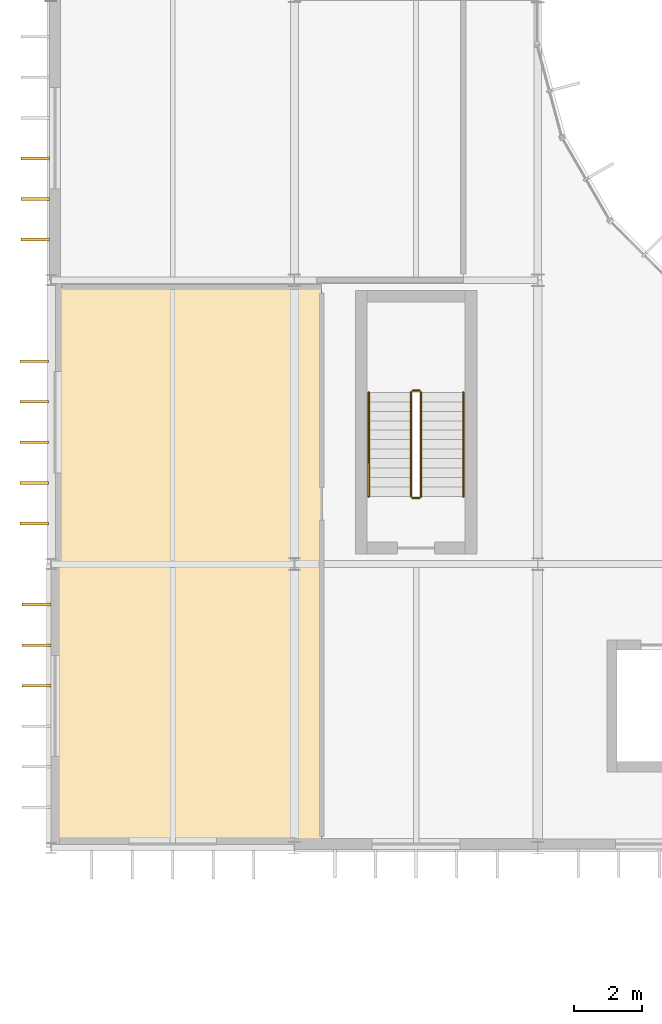
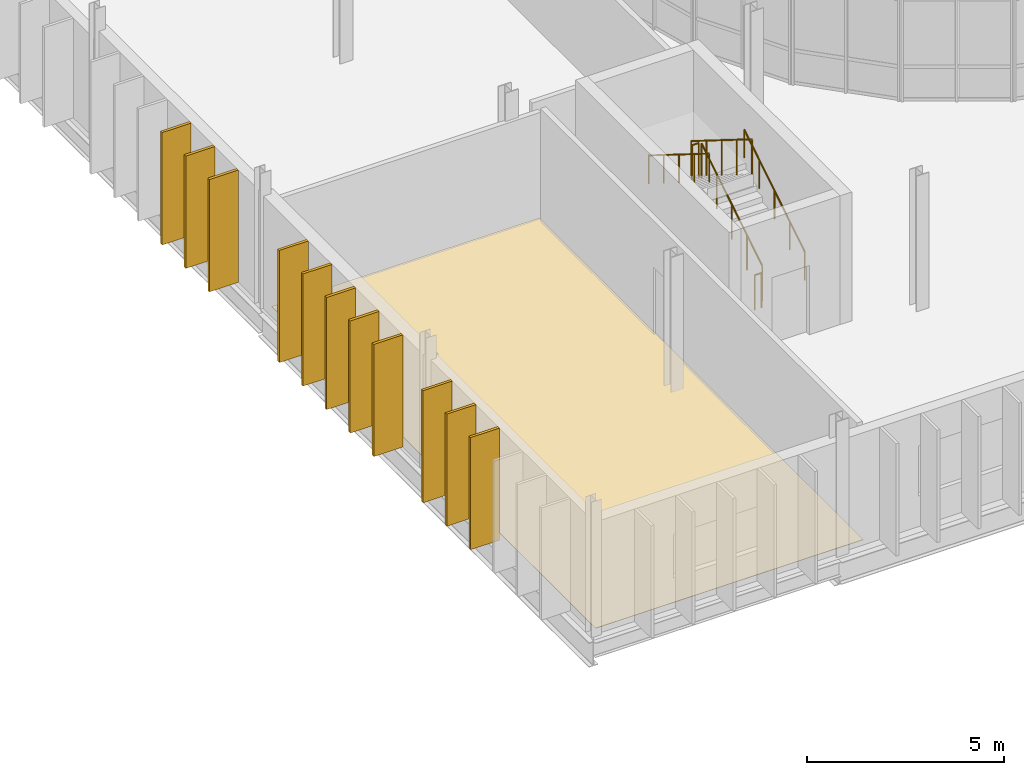
# One storey, part 90 of 99: 11 shading devices, 6 railings, 1 covering.
"""IFC4 building model written with IfcOpenShell, lengths in metres."""

import ifcopenshell
import ifcopenshell.guid

model = None  # the IFC model being written
_history = None  # IfcOwnerHistory: only IFC2X3 demands one
_inside = {}  # id of a spatial element -> (the spatial element, [elements in it])
_under = {}  # id of a project, library or spatial element -> (it, [spatial elements below it])
_declared = {}  # id of a project -> (the project, [libraries it declares])
_typed = {}  # id of a type object -> (the type object, [elements of that type])
_made_of = {}  # id of a material, layer set ... -> (it, [elements and type objects made of it])


def new_model(schema):
    """Start an empty IFC model of exactly this schema.

    Asked for "IFC4X3", IfcOpenShell would pick the latest addendum, in which some entities
    have other attributes; the version numbers below select the first issue.
    IFC2X3 requires an IfcOwnerHistory on every rooted entity: one is made here for all.
    """
    global model, _history
    if schema == "IFC4X3":
        model = ifcopenshell.file(schema_version=(4, 3, 0, 0))
    else:
        model = ifcopenshell.file(schema=schema)
    _inside.clear()
    _under.clear()
    _declared.clear()
    _typed.clear()
    _made_of.clear()
    _history = None
    if model.schema == "IFC2X3":
        org = make("IfcOrganization", Name="unknown")
        user = make(
            "IfcPersonAndOrganization",
            ThePerson=make("IfcPerson", FamilyName="unknown"),
            TheOrganization=org,
        )
        app = make(
            "IfcApplication",
            ApplicationDeveloper=org,
            Version="unknown",
            ApplicationFullName="unknown",
            ApplicationIdentifier="unknown",
        )
        _history = make(
            "IfcOwnerHistory",
            OwningUser=user,
            OwningApplication=app,
            ChangeAction="ADDED",
            CreationDate=0,
        )
    return model


def make(cls, **values):
    """One entity of the class cls with the attributes given. An attribute that is None is left unset."""
    return model.create_entity(
        cls, **{name: value for name, value in values.items() if value is not None}
    )


def rooted(cls, **values):
    """An entity with a GlobalId (a new one), such as an element, a storey or a relation."""
    return make(cls, GlobalId=ifcopenshell.guid.new(), OwnerHistory=_history, **values)


def si_unit(unit_type, name, prefix=None):
    """IfcSIUnit, for example si_unit("LENGTHUNIT", "METRE", prefix="MILLI")."""
    return make("IfcSIUnit", UnitType=unit_type, Prefix=prefix, Name=name)


def assignment(units):
    """IfcUnitAssignment: the units of a project."""
    return None if units is None else make("IfcUnitAssignment", Units=units)


def point(xyz):
    """IfcCartesianPoint."""
    return None if xyz is None else make("IfcCartesianPoint", Coordinates=xyz)


def direction(xyz):
    """IfcDirection."""
    return None if xyz is None else make("IfcDirection", DirectionRatios=xyz)


def frame(location, z_axis=None, x_axis=None):
    """IfcAxis2Placement3D, a coordinate frame: its origin and axes. An axis left out is left unset."""
    return make(
        "IfcAxis2Placement3D",
        Location=point(location),
        Axis=direction(z_axis),
        RefDirection=direction(x_axis),
    )


def frame_2d(location, x_axis=None):
    """IfcAxis2Placement2D, a coordinate frame in the plane: its origin and x axis."""
    return make(
        "IfcAxis2Placement2D", Location=point(location), RefDirection=direction(x_axis)
    )


def origin():
    """The frame at (0, 0, 0) with its axes left unset."""
    return frame((0.0, 0.0, 0.0))


def origin_2d():
    """The frame at (0, 0) in the plane with its x axis left unset."""
    return frame_2d((0.0, 0.0))


def place(relative_to, where):
    """IfcLocalPlacement: puts the frame where relative to a parent placement (None: the world)."""
    return make(
        "IfcLocalPlacement", PlacementRelTo=relative_to, RelativePlacement=where
    )


def context(
    kind, dimensions, precision=None, world=None, true_north=None, identifier=None
):
    """IfcGeometricRepresentationContext, for example the 3D "Model" context."""
    return make(
        "IfcGeometricRepresentationContext",
        ContextIdentifier=identifier,
        ContextType=kind,
        CoordinateSpaceDimension=dimensions,
        Precision=precision,
        WorldCoordinateSystem=world,
        TrueNorth=true_north,
    )


def subcontext(parent, identifier, kind, view, scale=None):
    """IfcGeometricRepresentationSubContext, for example "Body" below "Model"."""
    return make(
        "IfcGeometricRepresentationSubContext",
        ContextIdentifier=identifier,
        ContextType=kind,
        ParentContext=parent,
        TargetScale=scale,
        TargetView=view,
    )


def project(units=None, contexts=None):
    """IfcProject with its units and contexts."""
    return rooted(
        "IfcProject",
        Name="project",
        RepresentationContexts=contexts,
        UnitsInContext=assignment(units),
    )


def spatial(cls, under=None, at=None, **own):
    """A site, building, storey or space (cls), placed at a placement, below another one or the project."""
    s = rooted(cls, ObjectPlacement=at, **own)
    if under is not None:
        _under.setdefault(under.id(), (under, []))[1].append(s)
    return s


def polyline(points):
    """IfcPolyline through the points."""
    return make("IfcPolyline", Points=[point(p) for p in points])


def profile(cls, at=None, kind="AREA", **sizes):
    """A parametric profile (cls). Its sizes go by their IFC names, for example OverallWidth=200.0."""
    return make(cls, ProfileType=kind, Position=at, **sizes)


def rectangle(**sizes):
    """IfcRectangleProfileDef."""
    return profile("IfcRectangleProfileDef", **sizes)


def circle(**sizes):
    """IfcCircleProfileDef."""
    return profile("IfcCircleProfileDef", **sizes)


def outline(outer, holes=None, kind="AREA"):
    """IfcArbitraryClosedProfileDef: a profile drawn as a closed curve; with holes, ...WithVoids."""
    if holes is None:
        return make("IfcArbitraryClosedProfileDef", ProfileType=kind, OuterCurve=outer)
    return make(
        "IfcArbitraryProfileDefWithVoids",
        ProfileType=kind,
        OuterCurve=outer,
        InnerCurves=holes,
    )


def extrude(swept, where, along, depth):
    """IfcExtrudedAreaSolid: the profile swept, set in the frame where, extruded along a direction by depth."""
    return make(
        "IfcExtrudedAreaSolid",
        SweptArea=swept,
        Position=where,
        ExtrudedDirection=direction(along),
        Depth=depth,
    )


def shape(context_of_items, identifier, shape_type, items):
    """IfcShapeRepresentation: the items that make up one representation, for example the "Body"."""
    return make(
        "IfcShapeRepresentation",
        ContextOfItems=context_of_items,
        RepresentationIdentifier=identifier,
        RepresentationType=shape_type,
        Items=items,
    )


def material(Name=None, Category=None):
    """IfcMaterial."""
    return make("IfcMaterial", Name=Name, Category=Category)


def layer(
    of_material, thickness, ventilated=None, Name=None, Category=None, Priority=None
):
    """IfcMaterialLayer: one layer of a wall or slab, of a material (None: an air gap)."""
    return make(
        "IfcMaterialLayer",
        Material=of_material,
        LayerThickness=thickness,
        IsVentilated=ventilated,
        Name=Name,
        Category=Category,
        Priority=Priority,
    )


def layer_set(layers, Name=None):
    """IfcMaterialLayerSet."""
    return make("IfcMaterialLayerSet", MaterialLayers=layers, LayerSetName=Name)


def made_of(thing, what):
    """Note that an element or type object is made of a material, layer set ...; save() writes the relation."""
    if what is not None:
        _made_of.setdefault(what.id(), (what, []))[1].append(thing)
    return thing


def type_object(cls, material=None, **own):
    """A type object (cls), such as IfcWallType, which elements share."""
    return made_of(rooted(cls, **own), material)


def element(
    cls,
    number,
    at=None,
    inside=None,
    cuts=None,
    type_object=None,
    material=None,
    context=None,
    identifier="Body",
    shape_type=None,
    held_by="IfcProductDefinitionShape",
    body=None,
    shapes=None,
    **own,
):
    """One element of the class cls, such as IfcWall. Its Tag is "e" and its number.

    at: its placement. inside: the storey or other place that contains it. cuts: it is an
    opening in that element (IfcRelVoidsElement). A single representation is given by context,
    identifier, shape_type and body (its items); several are given by shapes. held_by: the class
    of the entity that holds the representations. save() writes the other relations.
    """
    e = rooted(cls, Tag="e%d" % number, ObjectPlacement=at, **own)
    if body is not None:
        shapes = [shape(context, identifier, shape_type, body)]
    if shapes is not None:
        e.Representation = make(held_by, Representations=shapes)
    if inside is not None:
        _inside.setdefault(inside.id(), (inside, []))[1].append(e)
    if cuts is not None:
        rooted(
            "IfcRelVoidsElement", RelatingBuildingElement=cuts, RelatedOpeningElement=e
        )
    if type_object is not None:
        _typed.setdefault(type_object.id(), (type_object, []))[1].append(e)
    return made_of(e, material)


def aggregate(whole, parts):
    """IfcRelAggregates: a whole, such as a stair, and the parts it consists of."""
    return rooted("IfcRelAggregates", RelatingObject=whole, RelatedObjects=parts)


def save(model, path):
    """Write the relations noted so far, then the file.

    IfcRelAggregates (storeys below a building ...), IfcRelContainedInSpatialStructure (elements
    in a storey), IfcRelDefinesByType, IfcRelAssociatesMaterial and IfcRelDeclares: one each for
    every whole, place, type object, material and project.
    """
    for whole, parts in _under.values():
        aggregate(whole, parts)
    for where, things in _inside.values():
        rooted(
            "IfcRelContainedInSpatialStructure",
            RelatedElements=things,
            RelatingStructure=where,
        )
    for kind, things in _typed.values():
        rooted("IfcRelDefinesByType", RelatedObjects=things, RelatingType=kind)
    for what, things in _made_of.values():
        rooted("IfcRelAssociatesMaterial", RelatedObjects=things, RelatingMaterial=what)
    for by, libraries in _declared.values():
        rooted("IfcRelDeclares", RelatingContext=by, RelatedDefinitions=libraries)
    model.write(path)


model = new_model("IFC4")

# Units and contexts
model_context = context("Model", 3, precision=1e-05, world=origin(), true_north=direction((0.0, 1.0)))
body_context = subcontext(model_context, "Body", "Model", "MODEL_VIEW")
ifc_project = project(units=[si_unit("LENGTHUNIT", "METRE"), si_unit("AREAUNIT", "SQUARE_METRE"), si_unit("VOLUMEUNIT", "CUBIC_METRE"), si_unit("PLANEANGLEUNIT", "RADIAN"), si_unit("MASSUNIT", "GRAM", prefix="KILO")], contexts=[model_context])

# Site, building, storey
site_placement = place(None, origin())
site = spatial("IfcSite", under=ifc_project, at=site_placement, CompositionType="ELEMENT")
building_placement = place(site_placement, origin())
building = spatial("IfcBuilding", under=site, at=building_placement, Name="Qelthora Terrace Specialist Clinic", CompositionType="ELEMENT")
storey_placement = place(building_placement, frame((0.0, 0.0, 9.0)))
storey = spatial("IfcBuildingStorey", under=building, at=storey_placement, Name="L02", CompositionType="ELEMENT", Elevation=9.0)

# Covering
ifc_material_1 = material(Name="Antimicrobial clinical linoleum flooring", Category="other")
ifc_layer = layer(ifc_material_1, 0.011962890625)
ifc_layer_set = layer_set([ifc_layer], Name="Antimicrobial clinical linoleum flooring")
covering_type = type_object("IfcCoveringType", Name="COV-FLR-LINO-12", PredefinedType="FLOORING", material=ifc_layer_set)
covering_placement = place(storey_placement, origin())
element("IfcCovering", 1, at=covering_placement, inside=storey, type_object=covering_type, Name="Oncology Infusion South Bays L02-50 resilient linoleum flooring", PredefinedType="FLOORING", context=body_context, shape_type="SweptSolid", body=[
    extrude(outline(polyline([(0.14990234375, 58.949951171875), (0.14990234375, 75.39990234375), (8.0, 75.39990234375), (8.0, 58.949951171875), (0.14990234375, 58.949951171875)])), origin(), (0.0, 0.0, 1.0), 0.011962890625),
])

# Railings
ifc_material_2 = material(Name="Steel S355", Category="steel")
railing_type_1 = type_object("IfcRailingType", Name="RAL-GD-1100-S355", PredefinedType="GUARDRAIL", material=ifc_material_2)
railing_1_placement = place(storey_placement, frame((10.949951171875, 69.199951171875, 0.175048828125)))
element("IfcRailing", 2, at=railing_1_placement, inside=storey, type_object=railing_type_1, Name="L02 ST-01 stair guard 1", PredefinedType="GUARDRAIL", context=body_context, shape_type="SweptSolid", body=[
    extrude(circle(Radius=0.02392578125, at=origin_2d()), frame((0.0, 0.0, 1.076171875), z_axis=(0.0, 0.847998304005, 0.529998940003), x_axis=(-1.0, 0.0, 0.0)), (0.0, 0.0, 1.0), 3.632080078125),
    extrude(circle(Radius=0.02099609375, at=origin_2d()), origin(), (0.0, 0.0, 1.0), 1.052001953125),
    extrude(circle(Radius=0.02099609375, at=origin_2d()), frame((0.0, 0.77001953125, 0.481201171875)), (0.0, 0.0, 1.0), 1.052001953125),
    extrude(circle(Radius=0.02099609375, at=origin_2d()), frame((0.0, 1.5400390625, 0.96240234375)), (0.0, 0.0, 1.0), 1.052001953125),
    extrude(circle(Radius=0.02099609375, at=origin_2d()), frame((0.0, 2.31005859375, 1.44384765625)), (0.0, 0.0, 1.0), 1.052001953125),
    extrude(circle(Radius=0.02099609375, at=origin_2d()), frame((0.0, 3.080078125, 1.925048828125)), (0.0, 0.0, 1.0), 1.052001953125),
])
railing_2_placement = place(storey_placement, frame((10.89990234375, 72.330078125, 2.10009765625)))
element("IfcRailing", 3, at=railing_2_placement, inside=storey, type_object=railing_type_1, Name="L02 ST-01 stair guard 2", PredefinedType="GUARDRAIL", context=body_context, shape_type="SweptSolid", body=[
    extrude(circle(Radius=0.02392578125, at=origin_2d()), frame((0.0, 0.0, 1.076171875), z_axis=(-1.0, 0.0, 0.0), x_axis=(0.0, -1.0, 0.0)), (0.0, 0.0, 1.0), 0.199951171875),
    extrude(circle(Radius=0.02099609375, at=origin_2d()), origin(), (0.0, 0.0, 1.0), 1.052001953125),
    extrude(circle(Radius=0.02099609375, at=origin_2d()), frame((-0.199951171875, 0.0, 0.0)), (0.0, 0.0, 1.0), 1.052001953125),
])
railing_3_placement = place(storey_placement, frame((10.64990234375, 72.280029296875, 2.27490234375)))
element("IfcRailing", 4, at=railing_3_placement, inside=storey, type_object=railing_type_1, Name="L02 ST-01 stair guard 3", PredefinedType="GUARDRAIL", context=body_context, shape_type="SweptSolid", body=[
    extrude(circle(Radius=0.02392578125, at=origin_2d()), frame((0.0, 0.0, 1.076171875), z_axis=(0.0, -0.847998304005, 0.529998940003), x_axis=(1.0, 0.0, 0.0)), (0.0, 0.0, 1.0), 3.632080078125),
    extrude(circle(Radius=0.02099609375, at=origin_2d()), origin(), (0.0, 0.0, 1.0), 1.052001953125),
    extrude(circle(Radius=0.02099609375, at=origin_2d()), frame((0.0, -0.77001953125, 0.481201171875)), (0.0, 0.0, 1.0), 1.052001953125),
    extrude(circle(Radius=0.02099609375, at=origin_2d()), frame((0.0, -1.5400390625, 0.96240234375)), (0.0, 0.0, 1.0), 1.052001953125),
    extrude(circle(Radius=0.02099609375, at=origin_2d()), frame((0.0, -2.31005859375, 1.44384765625)), (0.0, 0.0, 1.0), 1.052001953125),
    extrude(circle(Radius=0.02099609375, at=origin_2d()), frame((0.0, -3.080078125, 1.925048828125)), (0.0, 0.0, 1.0), 1.052001953125),
])
railing_4_placement = place(storey_placement, frame((10.89990234375, 69.14990234375, 0.0)))
element("IfcRailing", 5, at=railing_4_placement, inside=storey, type_object=railing_type_1, Name="L02 ST-01 stair guard 4", PredefinedType="GUARDRAIL", context=body_context, shape_type="SweptSolid", body=[
    extrude(circle(Radius=0.02392578125, at=origin_2d()), frame((0.0, 0.0, 1.076171875), z_axis=(-1.0, 0.0, 0.0), x_axis=(0.0, -1.0, 0.0)), (0.0, 0.0, 1.0), 0.199951171875),
    extrude(circle(Radius=0.02099609375, at=origin_2d()), origin(), (0.0, 0.0, 1.0), 1.052001953125),
    extrude(circle(Radius=0.02099609375, at=origin_2d()), frame((-0.199951171875, 0.0, 0.0)), (0.0, 0.0, 1.0), 1.052001953125),
])
railing_type_2 = type_object("IfcRailingType", Name="RAL-HR-900-S355", PredefinedType="HANDRAIL", material=ifc_material_2)
railing_5_placement = place(storey_placement, frame((12.199951171875, 69.199951171875, 0.367919921875)))
element("IfcRailing", 6, at=railing_5_placement, inside=storey, type_object=railing_type_2, Name="L02 ST-01 stair handrail 1", PredefinedType="HANDRAIL", context=body_context, shape_type="SweptSolid", body=[
    extrude(circle(Radius=0.02392578125, at=origin_2d()), frame((0.0, 0.0, 0.8759765625), z_axis=(0.0, 0.847998304005, 0.529998940003), x_axis=(-1.0, 0.0, 0.0)), (0.0, 0.0, 1.0), 3.632080078125),
    extrude(circle(Radius=0.02099609375, at=origin_2d()), origin(), (0.0, 0.0, 1.0), 0.851806640625),
    extrude(circle(Radius=0.02099609375, at=origin_2d()), frame((0.0, 0.77001953125, 0.481201171875)), (0.0, 0.0, 1.0), 0.851806640625),
    extrude(circle(Radius=0.02099609375, at=origin_2d()), frame((0.0, 1.5400390625, 0.96240234375)), (0.0, 0.0, 1.0), 0.851806640625),
    extrude(circle(Radius=0.02099609375, at=origin_2d()), frame((0.0, 2.31005859375, 1.44384765625)), (0.0, 0.0, 1.0), 0.851806640625),
    extrude(circle(Radius=0.02099609375, at=origin_2d()), frame((0.0, 3.080078125, 1.925048828125)), (0.0, 0.0, 1.0), 0.851806640625),
])
railing_6_placement = place(storey_placement, frame((9.39990234375, 72.280029296875, 2.468017578125)))
element("IfcRailing", 7, at=railing_6_placement, inside=storey, type_object=railing_type_2, Name="L02 ST-01 stair handrail 2", PredefinedType="HANDRAIL", context=body_context, shape_type="SweptSolid", body=[
    extrude(circle(Radius=0.02392578125, at=origin_2d()), frame((0.0, 0.0, 0.8759765625), z_axis=(0.0, -0.847998304005, 0.529998940003), x_axis=(1.0, 0.0, 0.0)), (0.0, 0.0, 1.0), 3.632080078125),
    extrude(circle(Radius=0.02099609375, at=origin_2d()), origin(), (0.0, 0.0, 1.0), 0.851806640625),
    extrude(circle(Radius=0.02099609375, at=origin_2d()), frame((0.0, -0.77001953125, 0.481201171875)), (0.0, 0.0, 1.0), 0.851806640625),
    extrude(circle(Radius=0.02099609375, at=origin_2d()), frame((0.0, -1.5400390625, 0.96240234375)), (0.0, 0.0, 1.0), 0.851806640625),
    extrude(circle(Radius=0.02099609375, at=origin_2d()), frame((0.0, -2.31005859375, 1.44384765625)), (0.0, 0.0, 1.0), 0.851806640625),
    extrude(circle(Radius=0.02099609375, at=origin_2d()), frame((0.0, -3.080078125, 1.925048828125)), (0.0, 0.0, 1.0), 0.851806640625),
])

# Shading devices
ifc_material_3 = material(Name="Glulam timber GL28h", Category="wood")
shading_device_type = type_object("IfcShadingDeviceType", Name="SHD-FIN-850", PredefinedType="USERDEFINED", material=ifc_material_3)
for number, where, z_axis, x_axis, name in (
    (8, (-0.43505859375, 63.60009765625, 0.0), (0.0, 0.0, 1.0), (-1.0, 0.0, 0.0), "Exterior solar shading fin FIN-1081"),
    (9, (-0.43505859375, 64.800048828125, 0.0), (0.0, 0.0, 1.0), (-1.0, 0.0, 0.0), "Exterior solar shading fin FIN-1082"),
    (10, (-0.43505859375, 66.0, 0.0), (0.0, 0.0, 1.0), (-1.0, 0.0, 0.0), "Exterior solar shading fin FIN-1083"),
    (11, (-0.4951171875, 68.39990234375, 0.0), (0.0, 0.0, 1.0), (-1.0, 0.0, 0.0), "Exterior solar shading fin FIN-1084"),
    (12, (-0.4951171875, 69.60009765625, 0.0), (0.0, 0.0, 1.0), (-1.0, 0.0, 0.0), "Exterior solar shading fin FIN-1085"),
    (13, (-0.4951171875, 70.800048828125, 0.0), (0.0, 0.0, 1.0), (-1.0, 0.0, 0.0), "Exterior solar shading fin FIN-1086"),
    (14, (-0.4951171875, 72.0, 0.0), (0.0, 0.0, 1.0), (-1.0, 0.0, 0.0), "Exterior solar shading fin FIN-1087"),
    (15, (-0.4951171875, 73.199951171875, 0.0), (0.0, 0.0, 1.0), (-1.0, 0.0, 0.0), "Exterior solar shading fin FIN-1088"),
):
    element("IfcShadingDevice", number, at=place(storey_placement, frame(where, z_axis=z_axis, x_axis=x_axis)), inside=storey, type_object=shading_device_type, Name=name, ObjectType="FIN", PredefinedType="USERDEFINED", context=body_context, shape_type="SweptSolid", body=[
        extrude(rectangle(XDim=0.85009765625, YDim=0.080078125, at=origin_2d()), origin(), (0.0, 0.0, 1.0), 3.47607421875),
    ])
for number, where, z_axis, x_axis, name in (
    (16, (-0.465087890625, 76.800048828125, 0.0), (0.0, 0.0, 1.0), (-1.0, 0.0, 0.0), "Exterior solar shading fin FIN-1089"),
    (17, (-0.465087890625, 78.0, 0.0), (0.0, 0.0, 1.0), (-1.0, 0.0, 0.0), "Exterior solar shading fin FIN-1090"),
    (18, (-0.465087890625, 79.199951171875, 0.0), (0.0, 0.0, 1.0), (-1.0, 0.0, 0.0), "Exterior solar shading fin FIN-1091"),
):
    element("IfcShadingDevice", number, at=place(storey_placement, frame(where, z_axis=z_axis, x_axis=x_axis)), inside=storey, type_object=shading_device_type, Name=name, ObjectType="FIN", PredefinedType="USERDEFINED", context=body_context, shape_type="SweptSolid", body=[
        extrude(rectangle(XDim=0.85009765625, YDim=0.080078125, at=origin_2d()), origin(), (0.0, 0.0, 1.0), 3.48193359375),
    ])

save(model, "model.ifc")
